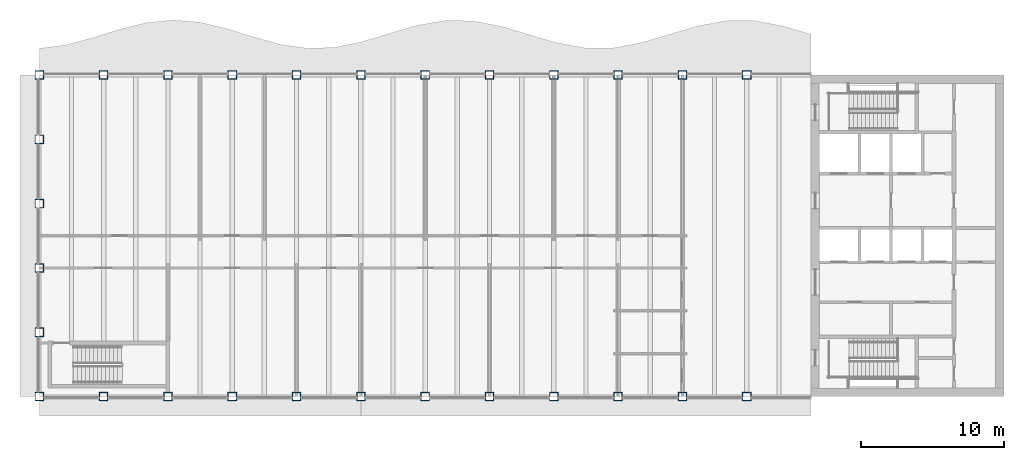
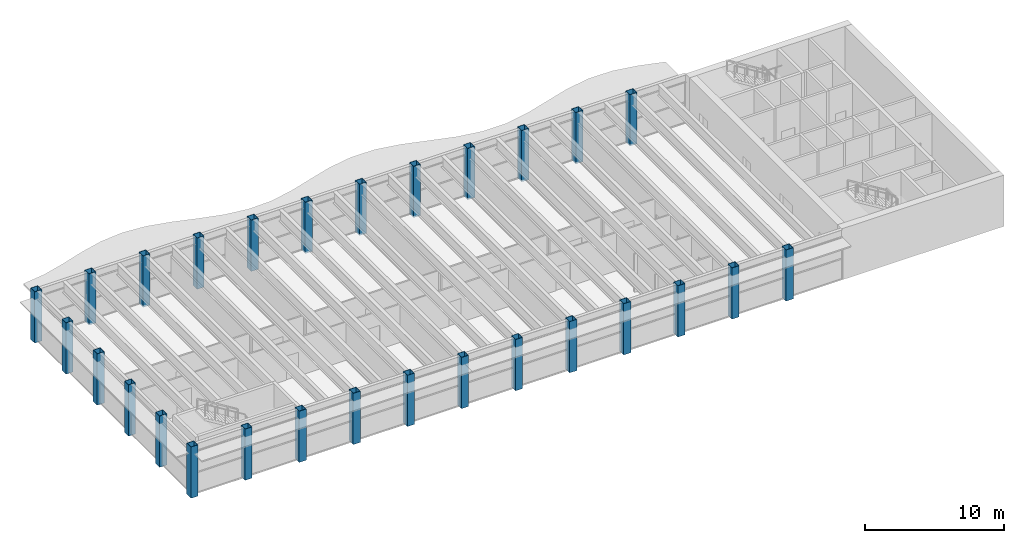
# One storey, part 1 of 14: 28 columns.
"""IFC4 building model written with IfcOpenShell, lengths in metres."""

from ifc_helpers import new_model, si_unit, direction, frame, origin, origin_2d, place, context, subcontext, project, spatial, hollow_rectangle, extrude, material, material_profile, profile_set, type_object, element, save


model = new_model("IFC4")

# Units and contexts
model_context = context("Model", 3, precision=1e-05, world=origin(), true_north=direction((0.0, 1.0)))
body_context = subcontext(model_context, "Body", "Model", "MODEL_VIEW")
ifc_project = project(units=[si_unit("LENGTHUNIT", "METRE"), si_unit("AREAUNIT", "SQUARE_METRE"), si_unit("VOLUMEUNIT", "CUBIC_METRE"), si_unit("PLANEANGLEUNIT", "RADIAN"), si_unit("MASSUNIT", "GRAM", prefix="KILO")], contexts=[model_context])

# Site, building, storey
site_placement = place(None, origin())
site = spatial("IfcSite", under=ifc_project, at=site_placement, CompositionType="ELEMENT")
building_placement = place(site_placement, origin())
building = spatial("IfcBuilding", under=site, at=building_placement, Name="Sennacour Bend Tower", CompositionType="ELEMENT")
storey_placement = place(building_placement, frame((0.0, 0.0, 305.0)))
storey = spatial("IfcBuildingStorey", under=building, at=storey_placement, Name="L70", CompositionType="ELEMENT", Elevation=305.0)

# Columns
ifc_material = material(Name="Steel ASTM A572 Grade 50", Category="steel")
ifc_material_profile = material_profile(ifc_material, hollow_rectangle(XDim=0.60009765625, YDim=0.60009765625, WallThickness=0.030029296875, at=origin_2d()), Name="Steel ASTM A572 Grade 50", Category="steel")
ifc_profile_set = profile_set([ifc_material_profile], Name="Steel ASTM A572 Grade 50")
column_type = type_object("IfcColumnType", Name="Box column 600", PredefinedType="COLUMN", material=ifc_profile_set)
for number, where, z_axis, x_axis, name in (
    (1, (0.0, 0.0, -0.14990234375), (0.0, 0.0, 1.0), (1.0, 0.0, 0.0), "Perimeter column C6 L70-001"),
    (2, (0.0, 4.5, -0.14990234375), (0.0, 0.0, 1.0), (1.0, 0.0, 0.0), "Perimeter column C6 L70-002"),
    (3, (0.0, 9.0, -0.14990234375), (0.0, 0.0, 1.0), (1.0, 0.0, 0.0), "Perimeter column C6 L70-003"),
    (4, (0.0, 13.5, -0.14990234375), (0.0, 0.0, 1.0), (1.0, 0.0, 0.0), "Perimeter column C6 L70-004"),
    (5, (0.0, 18.0, -0.14990234375), (0.0, 0.0, 1.0), (1.0, 0.0, 0.0), "Perimeter column C6 L70-005"),
    (6, (0.0, 22.5, -0.14990234375), (0.0, 0.0, 1.0), (1.0, 0.0, 0.0), "Perimeter column C6 L70-006"),
    (7, (4.5, 0.0, -0.14990234375), (0.0, 0.0, 1.0), (1.0, 0.0, 0.0), "Perimeter column C6 L70-007"),
    (8, (4.5, 22.5, -0.14990234375), (0.0, 0.0, 1.0), (1.0, 0.0, 0.0), "Perimeter column C6 L70-008"),
    (9, (9.0, 0.0, -0.14990234375), (0.0, 0.0, 1.0), (1.0, 0.0, 0.0), "Perimeter column C6 L70-009"),
    (10, (9.0, 22.5, -0.14990234375), (0.0, 0.0, 1.0), (1.0, 0.0, 0.0), "Perimeter column C6 L70-010"),
    (11, (13.5, 0.0, -0.14990234375), (0.0, 0.0, 1.0), (1.0, 0.0, 0.0), "Perimeter column C6 L70-011"),
    (12, (13.5, 22.5, -0.14990234375), (0.0, 0.0, 1.0), (1.0, 0.0, 0.0), "Perimeter column C6 L70-012"),
    (13, (18.0, 0.0, -0.14990234375), (0.0, 0.0, 1.0), (1.0, 0.0, 0.0), "Perimeter column C6 L70-013"),
    (14, (18.0, 22.5, -0.14990234375), (0.0, 0.0, 1.0), (1.0, 0.0, 0.0), "Perimeter column C6 L70-014"),
    (15, (22.5, 0.0, -0.14990234375), (0.0, 0.0, 1.0), (1.0, 0.0, 0.0), "Perimeter column C6 L70-015"),
    (16, (22.5, 22.5, -0.14990234375), (0.0, 0.0, 1.0), (1.0, 0.0, 0.0), "Perimeter column C6 L70-016"),
    (17, (27.0, 0.0, -0.14990234375), (0.0, 0.0, 1.0), (1.0, 0.0, 0.0), "Perimeter column C6 L70-017"),
    (18, (27.0, 22.5, -0.14990234375), (0.0, 0.0, 1.0), (1.0, 0.0, 0.0), "Perimeter column C6 L70-018"),
    (19, (31.5, 0.0, -0.14990234375), (0.0, 0.0, 1.0), (1.0, 0.0, 0.0), "Perimeter column C6 L70-019"),
    (20, (31.5, 22.5, -0.14990234375), (0.0, 0.0, 1.0), (1.0, 0.0, 0.0), "Perimeter column C6 L70-020"),
    (21, (36.0, 0.0, -0.14990234375), (0.0, 0.0, 1.0), (1.0, 0.0, 0.0), "Perimeter column C6 L70-021"),
    (22, (36.0, 22.5, -0.14990234375), (0.0, 0.0, 1.0), (1.0, 0.0, 0.0), "Perimeter column C6 L70-022"),
    (23, (40.5, 0.0, -0.14990234375), (0.0, 0.0, 1.0), (1.0, 0.0, 0.0), "Perimeter column C6 L70-023"),
    (24, (40.5, 22.5, -0.14990234375), (0.0, 0.0, 1.0), (1.0, 0.0, 0.0), "Perimeter column C6 L70-024"),
    (25, (45.0, 0.0, -0.14990234375), (0.0, 0.0, 1.0), (1.0, 0.0, 0.0), "Perimeter column C6 L70-025"),
    (26, (45.0, 22.5, -0.14990234375), (0.0, 0.0, 1.0), (1.0, 0.0, 0.0), "Perimeter column C6 L70-026"),
    (27, (49.5, 0.0, -0.14990234375), (0.0, 0.0, 1.0), (1.0, 0.0, 0.0), "Perimeter column C6 L70-027"),
    (28, (49.5, 22.5, -0.14990234375), (0.0, 0.0, 1.0), (1.0, 0.0, 0.0), "Perimeter column C6 L70-028"),
):
    element("IfcColumn", number, at=place(storey_placement, frame(where, z_axis=z_axis, x_axis=x_axis)), inside=storey, type_object=column_type, Name=name, PredefinedType="COLUMN", context=body_context, shape_type="SweptSolid", body=[
        extrude(hollow_rectangle(XDim=0.60009765625, YDim=0.60009765625, WallThickness=0.030029296875, at=origin_2d()), origin(), (0.0, 0.0, 1.0), 4.5),
    ])

save(model, "model.ifc")
